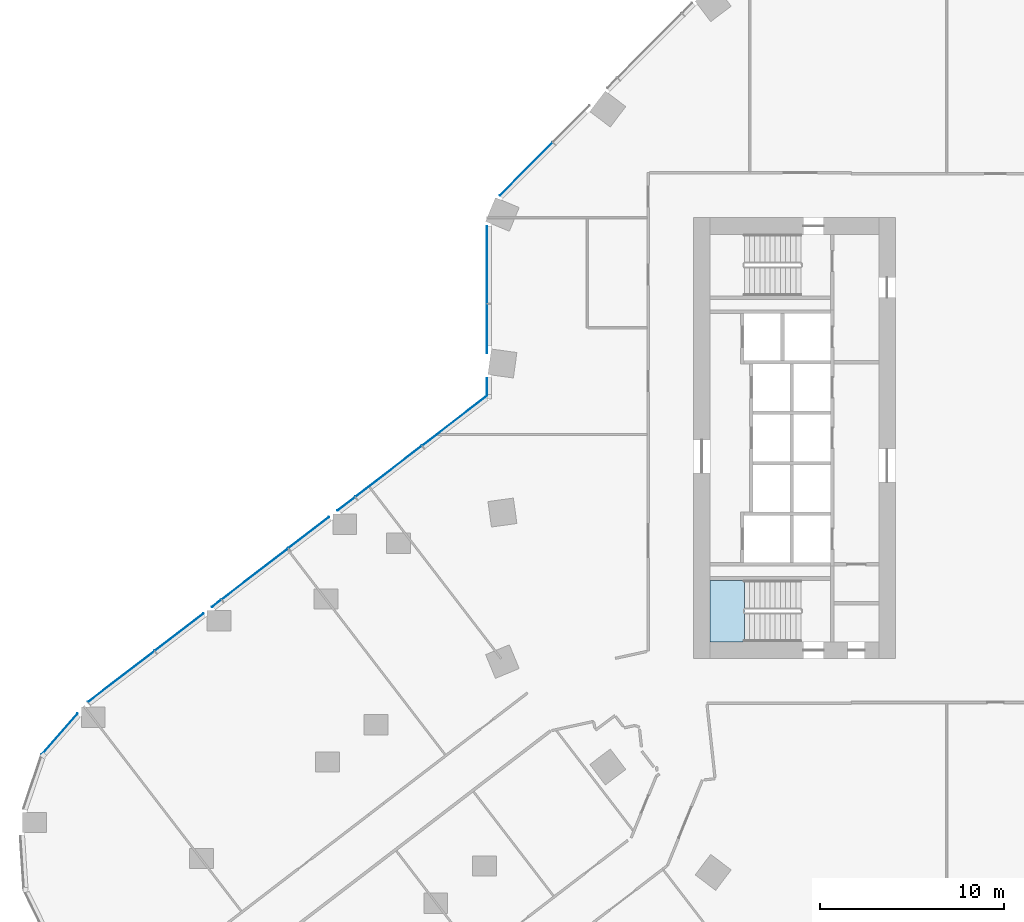
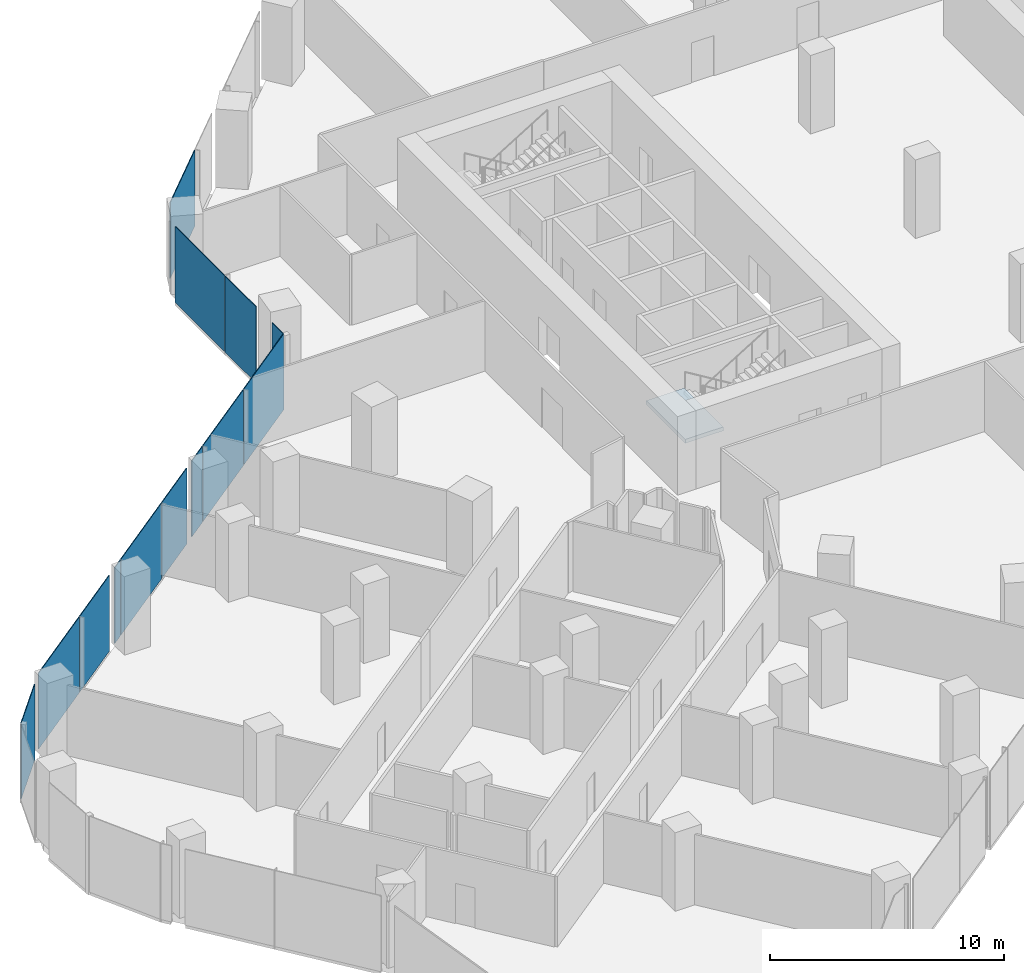
# One storey, part 16 of 29: 13 plates, 1 slab, 5 elements without a shape of their own.
"""IFC4 building model written with IfcOpenShell, lengths in metres."""

from ifc_helpers import new_model, si_unit, direction, frame, origin, origin_2d, place, context, subcontext, project, spatial, polyline, rectangle, outline, extrude, material, layer, layer_set, type_object, element, aggregate, save


model = new_model("IFC4")

# Units and contexts
model_context = context("Model", 3, precision=1e-05, world=origin(), true_north=direction((0.0, 1.0)))
body_context = subcontext(model_context, "Body", "Model", "MODEL_VIEW")
ifc_project = project(units=[si_unit("LENGTHUNIT", "METRE"), si_unit("AREAUNIT", "SQUARE_METRE"), si_unit("VOLUMEUNIT", "CUBIC_METRE"), si_unit("PLANEANGLEUNIT", "RADIAN"), si_unit("MASSUNIT", "GRAM", prefix="KILO")], contexts=[model_context])

# Site, building, storey
site_placement = place(None, origin())
site = spatial("IfcSite", under=ifc_project, at=site_placement, CompositionType="ELEMENT")
building_placement = place(site_placement, origin())
building = spatial("IfcBuilding", under=site, at=building_placement, Name="Orlundy Tower", CompositionType="ELEMENT")
storey_placement = place(building_placement, frame((0.0, 0.0, 25.10009765625)))
storey = spatial("IfcBuildingStorey", under=building, at=storey_placement, Name="L04", CompositionType="ELEMENT", Elevation=25.10009765625)

# Curtain wall, plate
ifc_material_1 = material(Name="Aluminium bronze anodised", Category="aluminium")
curtain_wall_type = type_object("IfcCurtainWallType", Name="CW2 wall", PredefinedType="NOTDEFINED", material=ifc_material_1)
curtain_wall_1_placement = place(storey_placement, origin())
curtain_wall_1 = element("IfcCurtainWall", 1, at=curtain_wall_1_placement, inside=storey, type_object=curtain_wall_type, Name="CW2 run 011", PredefinedType="NOTDEFINED")
ifc_material_2 = material(Name="Tinted glass", Category="glass")
ifc_layer_1 = layer(ifc_material_2, 0.0380859375)
ifc_layer_set_1 = layer_set([ifc_layer_1], Name="CW2 glass panel 38")
plate_type = type_object("IfcPlateType", Name="CW2 glass panel 38", PredefinedType="CURTAIN_PANEL", material=ifc_layer_set_1)
plate_1_placement = place(storey_placement, frame((-53.513916015625, -16.126220703125, -0.27001953125), z_axis=(0.0, 0.0, 1.0), x_axis=(0.65932547196, 0.751857647447, 0.0)))
plate_1 = element("IfcPlate", 2, at=plate_1_placement, type_object=plate_type, Name="CW2 panel", PredefinedType="CURTAIN_PANEL", context=body_context, shape_type="SweptSolid", body=[
    extrude(rectangle(XDim=2.963623046875, YDim=0.0380859375, at=origin_2d()), origin(), (0.0, 0.0, 1.0), 3.969970703125),
])
aggregate(curtain_wall_1, [plate_1])

# Curtain wall, plates
curtain_wall_2_placement = place(storey_placement, origin())
curtain_wall_2 = element("IfcCurtainWall", 3, at=curtain_wall_2_placement, inside=storey, type_object=curtain_wall_type, Name="CW2 run 012", PredefinedType="NOTDEFINED")
plate_2_placement = place(storey_placement, frame((-50.17236328125, -12.997802734375, -0.27001953125), z_axis=(0.0, 0.0, 1.0), x_axis=(0.793348488271, 0.608767752232, 0.0)))
plate_2 = element("IfcPlate", 4, at=plate_2_placement, type_object=plate_type, Name="CW2 panel", PredefinedType="CURTAIN_PANEL", context=body_context, shape_type="SweptSolid", body=[
    extrude(rectangle(XDim=4.5615234375, YDim=0.0380859375, at=origin_2d()), origin(), (0.0, 0.0, 1.0), 3.969970703125),
])
plate_3_placement = place(storey_placement, frame((-47.006591796875, -10.568603515625, -0.27001953125), z_axis=(0.0, 0.0, 1.0), x_axis=(0.793348488271, 0.608767752232, 0.0)))
plate_3 = element("IfcPlate", 5, at=plate_3_placement, type_object=plate_type, Name="CW2 panel", PredefinedType="CURTAIN_PANEL", context=body_context, shape_type="SweptSolid", body=[
    extrude(rectangle(XDim=3.319091796875, YDim=0.0380859375, at=origin_2d()), origin(), (0.0, 0.0, 1.0), 3.969970703125),
])
plate_4_placement = place(storey_placement, frame((-44.975341796875, -9.010009765625, -0.27001953125), z_axis=(0.0, 0.0, 1.0), x_axis=(0.793348488271, 0.608767752232, 0.0)))
plate_4 = element("IfcPlate", 6, at=plate_4_placement, type_object=plate_type, Name="CW2 panel", PredefinedType="CURTAIN_PANEL", context=body_context, shape_type="SweptSolid", body=[
    extrude(rectangle(XDim=0.637451171875, YDim=0.0380859375, at=origin_2d()), origin(), (0.0, 0.0, 1.0), 3.969970703125),
])
plate_5_placement = place(storey_placement, frame((-42.88232421875, -7.404052734375, -0.27001953125), z_axis=(0.0, 0.0, 1.0), x_axis=(0.793348488271, 0.608767752232, 0.0)))
plate_5 = element("IfcPlate", 7, at=plate_5_placement, type_object=plate_type, Name="CW2 panel", PredefinedType="CURTAIN_PANEL", context=body_context, shape_type="SweptSolid", body=[
    extrude(rectangle(XDim=4.538818359375, YDim=0.0380859375, at=origin_2d()), origin(), (0.0, 0.0, 1.0), 3.969970703125),
])
plate_6_placement = place(storey_placement, frame((-39.941650390625, -5.1474609375, -0.27001953125), z_axis=(0.0, 0.0, 1.0), x_axis=(0.793348488271, 0.608767752232, 0.0)))
plate_6 = element("IfcPlate", 8, at=plate_6_placement, type_object=plate_type, Name="CW2 panel", PredefinedType="CURTAIN_PANEL", context=body_context, shape_type="SweptSolid", body=[
    extrude(rectangle(XDim=2.774658203125, YDim=0.0380859375, at=origin_2d()), origin(), (0.0, 0.0, 1.0), 3.969970703125),
])
plate_7_placement = place(storey_placement, frame((-37.909912109375, -3.58837890625, -0.27001953125), z_axis=(0.0, 0.0, 1.0), x_axis=(0.793348488271, 0.608767752232, 0.0)))
plate_7 = element("IfcPlate", 9, at=plate_7_placement, type_object=plate_type, Name="CW2 panel", PredefinedType="CURTAIN_PANEL", context=body_context, shape_type="SweptSolid", body=[
    extrude(rectangle(XDim=1.18115234375, YDim=0.0380859375, at=origin_2d()), origin(), (0.0, 0.0, 1.0), 3.969970703125),
])
plate_8_placement = place(storey_placement, frame((-35.601318359375, -1.81689453125, -0.27001953125), z_axis=(0.0, 0.0, 1.0), x_axis=(0.793348488271, 0.608767752232, 0.0)))
plate_8 = element("IfcPlate", 10, at=plate_8_placement, type_object=plate_type, Name="CW2 panel", PredefinedType="CURTAIN_PANEL", context=body_context, shape_type="SweptSolid", body=[
    extrude(rectangle(XDim=4.538818359375, YDim=0.0380859375, at=origin_2d()), origin(), (0.0, 0.0, 1.0), 3.969970703125),
])
plate_9_placement = place(storey_placement, frame((-31.99609375, 0.949462890625, -0.27001953125), z_axis=(0.0, 0.0, 1.0), x_axis=(0.793348488271, 0.608767752232, 0.0)))
plate_9 = element("IfcPlate", 11, at=plate_9_placement, type_object=plate_type, Name="CW2 panel", PredefinedType="CURTAIN_PANEL", context=body_context, shape_type="SweptSolid", body=[
    extrude(rectangle(XDim=4.449951171875, YDim=0.0380859375, at=origin_2d()), origin(), (0.0, 0.0, 1.0), 3.969970703125),
])
aggregate(curtain_wall_2, [plate_2, plate_3, plate_4, plate_5, plate_6, plate_7, plate_8, plate_9])

curtain_wall_3_placement = place(storey_placement, origin())
curtain_wall_3 = element("IfcCurtainWall", 12, at=curtain_wall_3_placement, inside=storey, type_object=curtain_wall_type, Name="CW2 run 013", PredefinedType="NOTDEFINED")
plate_10_placement = place(storey_placement, frame((-30.23095703125, 2.78466796875, -0.27001953125), z_axis=(0.0, 0.0, 1.0), x_axis=(0.0, 1.0, 0.0)))
plate_10 = element("IfcPlate", 13, at=plate_10_placement, type_object=plate_type, Name="CW2 panel", PredefinedType="CURTAIN_PANEL", context=body_context, shape_type="SweptSolid", body=[
    extrude(rectangle(XDim=0.961181640625, YDim=0.0380859375, at=origin_2d()), origin(), (0.0, 0.0, 1.0), 3.969970703125),
])
plate_11_placement = place(storey_placement, frame((-30.23095703125, 5.951904296875, -0.27001953125), z_axis=(0.0, 0.0, 1.0), x_axis=(0.0, 1.0, 0.0)))
plate_11 = element("IfcPlate", 14, at=plate_11_placement, type_object=plate_type, Name="CW2 panel", PredefinedType="CURTAIN_PANEL", context=body_context, shape_type="SweptSolid", body=[
    extrude(rectangle(XDim=2.662353515625, YDim=0.0380859375, at=origin_2d()), origin(), (0.0, 0.0, 1.0), 3.969970703125),
])
plate_12_placement = place(storey_placement, frame((-30.23095703125, 9.4404296875, -0.27001953125), z_axis=(0.0, 0.0, 1.0), x_axis=(0.0, 1.0, 0.0)))
plate_12 = element("IfcPlate", 15, at=plate_12_placement, type_object=plate_type, Name="CW2 panel", PredefinedType="CURTAIN_PANEL", context=body_context, shape_type="SweptSolid", body=[
    extrude(rectangle(XDim=4.215087890625, YDim=0.0380859375, at=origin_2d()), origin(), (0.0, 0.0, 1.0), 3.969970703125),
])
aggregate(curtain_wall_3, [plate_10, plate_11, plate_12])

# Curtain wall, plate
curtain_wall_4_placement = place(storey_placement, origin())
curtain_wall_4 = element("IfcCurtainWall", 16, at=curtain_wall_4_placement, inside=storey, type_object=curtain_wall_type, Name="CW2 run 014", PredefinedType="NOTDEFINED")
plate_13_placement = place(storey_placement, frame((-28.10400390625, 14.648681640625, -0.27001953125), z_axis=(0.0, 0.0, 1.0), x_axis=(0.707106781187, 0.707106781187, 0.0)))
plate_13 = element("IfcPlate", 17, at=plate_13_placement, type_object=plate_type, Name="CW2 panel", PredefinedType="CURTAIN_PANEL", context=body_context, shape_type="SweptSolid", body=[
    extrude(rectangle(XDim=4.066650390625, YDim=0.0380859375, at=origin_2d()), origin(), (0.0, 0.0, 1.0), 3.969970703125),
])
aggregate(curtain_wall_4, [plate_13])

# Stair, slab
ifc_material_3 = material(Name="Concrete C50/60", Category="concrete")
stair_type = type_object("IfcStairType", Name="Exit Stair 24 risers", PredefinedType="HALF_TURN_STAIR", material=ifc_material_3)
stair_placement = place(storey_placement, origin())
stair = element("IfcStair", 18, at=stair_placement, inside=storey, type_object=stair_type, Name="L04 Exit Stair ST-W2", PredefinedType="HALF_TURN_STAIR")
ifc_material_4 = material(Name="Concrete C50/60", Category="concrete")
ifc_layer_2 = layer(ifc_material_4, 0.199951171875)
ifc_layer_set_2 = layer_set([ifc_layer_2], Name="Exit Stair Landing")
slab_type = type_object("IfcSlabType", Name="Exit Stair Landing", PredefinedType="LANDING", material=ifc_layer_set_2)
slab_placement = place(storey_placement, frame((0.0, 0.0, 1.849853515625)))
slab = element("IfcSlab", 19, at=slab_placement, type_object=slab_type, Name="ST-W2 landing 1", PredefinedType="LANDING", context=body_context, shape_type="SweptSolid", body=[
    extrude(outline(polyline([(-16.219970703125, -7.75), (-18.10009765625, -7.75), (-18.10009765625, -11.10009765625), (-16.219970703125, -11.10009765625), (-16.219970703125, -7.75)])), origin(), (0.0, 0.0, 1.0), 0.199951171875),
])
aggregate(stair, [slab])

save(model, "model.ifc")
